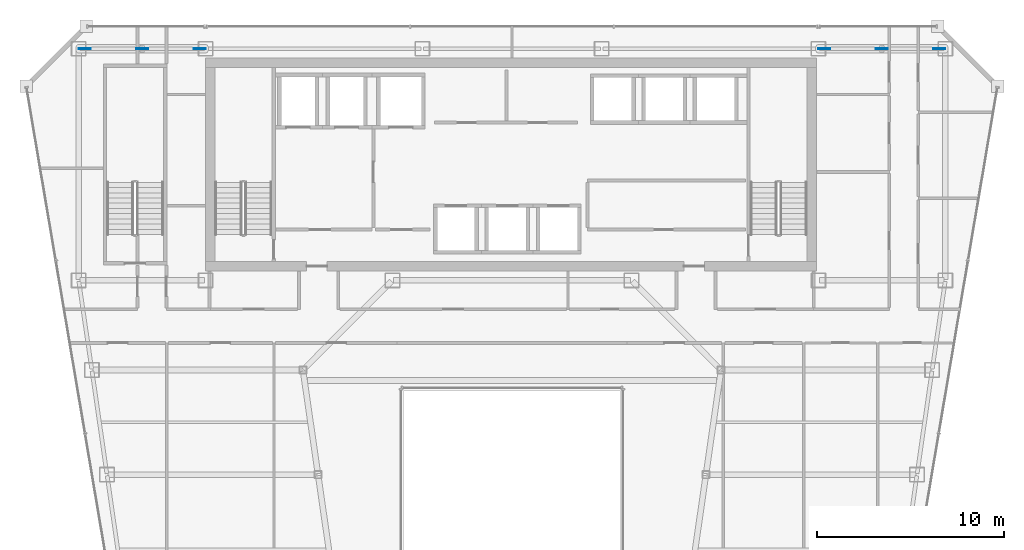
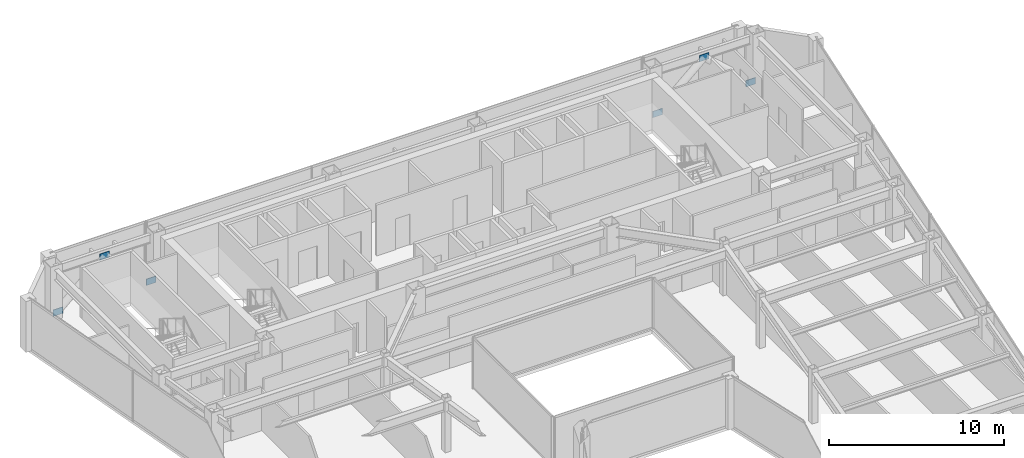
# One storey, part 29 of 36: 6 plates.
"""IFC4 building model written with IfcOpenShell, lengths in metres."""

from ifc_helpers import new_model, si_unit, direction, frame, origin, origin_2d, place, context, subcontext, project, spatial, rectangle, extrude, material, layer, layer_set, type_object, element, save


model = new_model("IFC4")

# Units and contexts
model_context = context("Model", 3, precision=1e-05, world=origin(), true_north=direction((0.0, 1.0)))
body_context = subcontext(model_context, "Body", "Model", "MODEL_VIEW")
ifc_project = project(units=[si_unit("LENGTHUNIT", "METRE"), si_unit("AREAUNIT", "SQUARE_METRE"), si_unit("VOLUMEUNIT", "CUBIC_METRE"), si_unit("PLANEANGLEUNIT", "RADIAN"), si_unit("MASSUNIT", "GRAM", prefix="KILO")], contexts=[model_context])

# Site, building, storey
site_placement = place(None, origin())
site = spatial("IfcSite", under=ifc_project, at=site_placement, CompositionType="ELEMENT")
building_placement = place(site_placement, origin())
building = spatial("IfcBuilding", under=site, at=building_placement, Name="Saevonmaru Cultural Tower", CompositionType="ELEMENT")
storey_placement = place(building_placement, frame((0.0, 0.0, 209.39990234375)))
storey = spatial("IfcBuildingStorey", under=building, at=storey_placement, Name="L48", CompositionType="ELEMENT", Elevation=209.39990234375)

# Plates
ifc_material = material(Name="Steel HSA600 (600 MPa)", Category="steel")
ifc_layer = layer(ifc_material, 0.0400390625, Name="Steel HSA600 (600 MPa)")
ifc_layer_set = layer_set([ifc_layer], Name="Steel HSA600 (600 MPa)")
plate_type = type_object("IfcPlateType", Name="PL-GUSSET-EXT", PredefinedType="USERDEFINED", material=ifc_layer_set)
for number, where, z_axis, x_axis, name in (
    (1, (10.199951171875, 54.800048828125, 2.85009765625), (0.0, 0.0, 1.0), (1.0, 0.0, 0.0), "L48 Perimeter Tube Gusset Plate"),
    (2, (7.1201171875, 54.800048828125, 0.02001953125), (0.0, 0.0, 1.0), (1.0, 0.0, 0.0), "L48 Perimeter Tube Gusset Plate"),
    (3, (13.280029296875, 54.800048828125, 0.02001953125), (0.0, 0.0, 1.0), (1.0, 0.0, 0.0), "L48 Perimeter Tube Gusset Plate"),
    (4, (49.800048828125, 54.800048828125, 2.85009765625), (0.0, 0.0, 1.0), (1.0, 0.0, 0.0), "L48 Perimeter Tube Gusset Plate"),
    (5, (46.719970703125, 54.800048828125, 0.02001953125), (0.0, 0.0, 1.0), (1.0, 0.0, 0.0), "L48 Perimeter Tube Gusset Plate"),
    (6, (52.8798828125, 54.800048828125, 0.02001953125), (0.0, 0.0, 1.0), (1.0, 0.0, 0.0), "L48 Perimeter Tube Gusset Plate"),
):
    element("IfcPlate", number, at=place(storey_placement, frame(where, z_axis=z_axis, x_axis=x_axis)), inside=storey, type_object=plate_type, Name=name, ObjectType="GUSSET_PLATE", PredefinedType="USERDEFINED", context=body_context, shape_type="SweptSolid", body=[
        extrude(rectangle(XDim=0.639892578125, YDim=0.0400390625, at=origin_2d()), origin(), (0.0, 0.0, 1.0), 0.43994140625),
    ])

save(model, "model.ifc")
